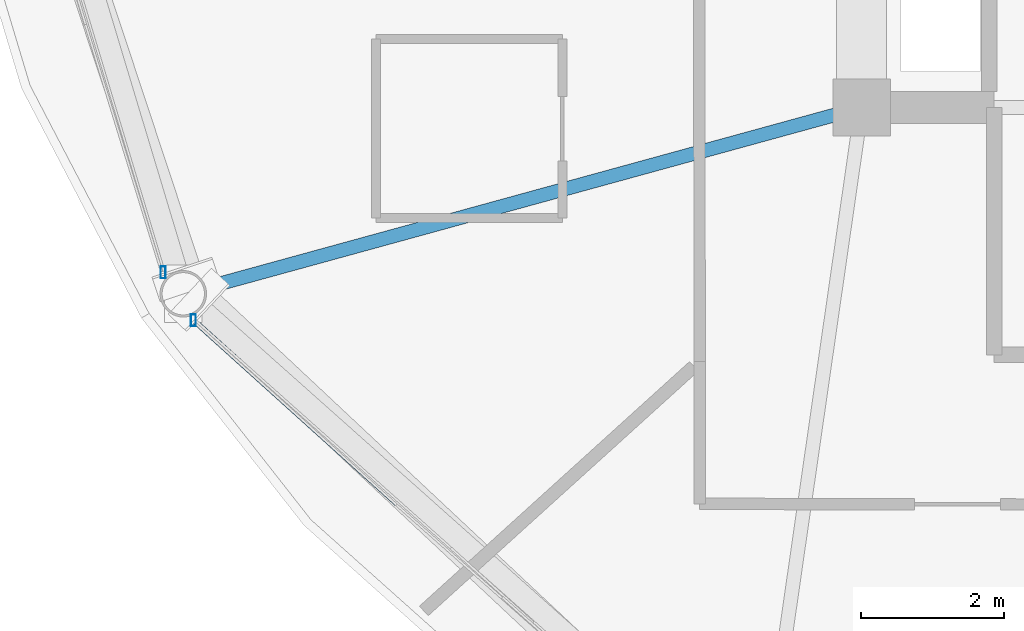
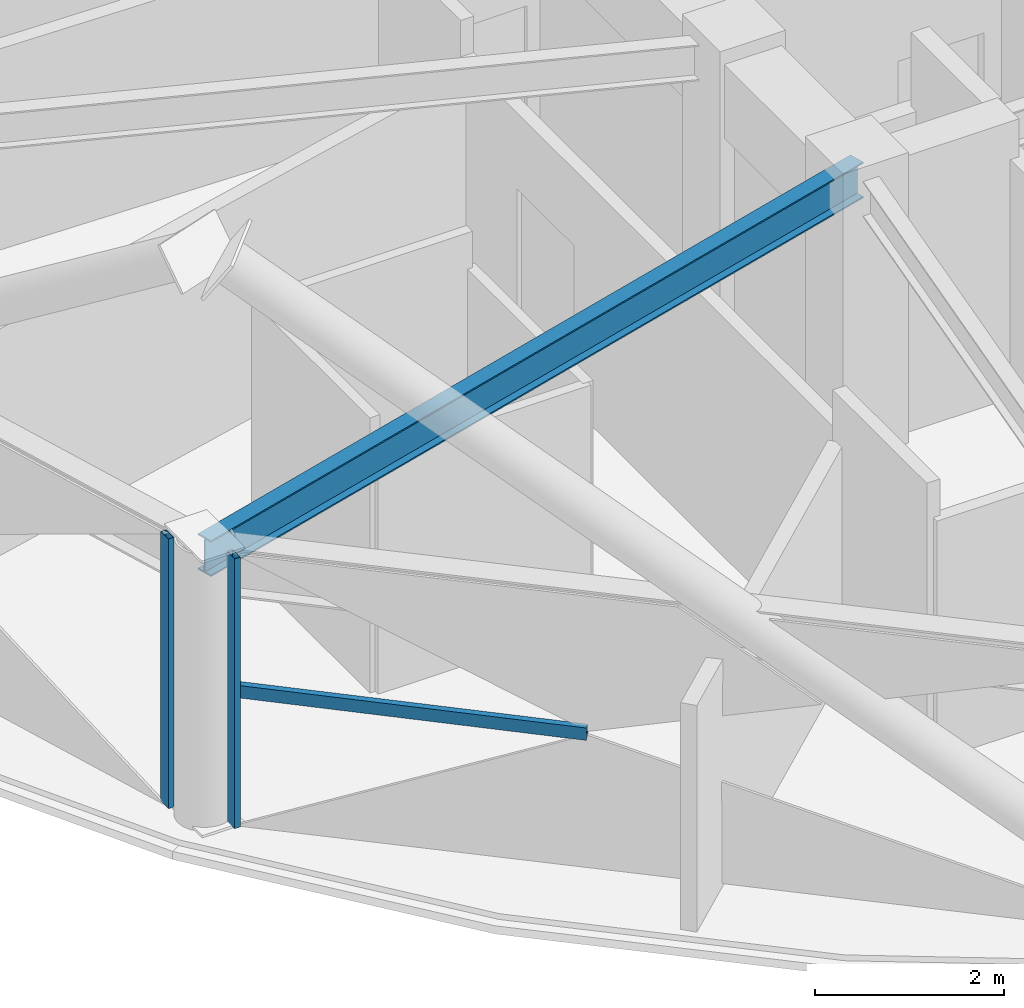
# One storey, part 3 of 29: 3 members, 1 beam, 2 elements without a shape of their own.
"""IFC4 building model written with IfcOpenShell, lengths in metres."""

from ifc_helpers import new_model, si_unit, direction, frame, origin, origin_2d, place, context, subcontext, project, spatial, hollow_rectangle, i_section, extrude, material, layer, layer_set, material_profile, profile_set, type_object, element, aggregate, save


model = new_model("IFC4")

# Units and contexts
model_context = context("Model", 3, precision=1e-05, world=origin(), true_north=direction((0.0, 1.0)))
body_context = subcontext(model_context, "Body", "Model", "MODEL_VIEW")
ifc_project = project(units=[si_unit("LENGTHUNIT", "METRE"), si_unit("AREAUNIT", "SQUARE_METRE"), si_unit("VOLUMEUNIT", "CUBIC_METRE"), si_unit("PLANEANGLEUNIT", "RADIAN"), si_unit("MASSUNIT", "GRAM", prefix="KILO")], contexts=[model_context])

# Site, building, storey
site_placement = place(None, origin())
site = spatial("IfcSite", under=ifc_project, at=site_placement, CompositionType="ELEMENT")
building_placement = place(site_placement, origin())
building = spatial("IfcBuilding", under=site, at=building_placement, Name="Vantalir Tower", CompositionType="ELEMENT")
storey_placement = place(building_placement, frame((0.0, 0.0, 227.39990234375)))
storey = spatial("IfcBuildingStorey", under=building, at=storey_placement, Name="L57", CompositionType="ELEMENT", Elevation=227.39990234375)

# Beam
ifc_material_1 = material(Name="Steel S355", Category="steel")
ifc_material_profile_1 = material_profile(ifc_material_1, i_section(OverallWidth=0.19189453125, OverallDepth=0.462890625, WebThickness=0.010498046875, FlangeThickness=0.017578125, at=origin_2d()), Name="Steel S355")
ifc_profile_set_1 = profile_set([ifc_material_profile_1], Name="Steel S355")
beam_type = type_object("IfcBeamType", Name="BM-RB-457x191", PredefinedType="BEAM", material=ifc_profile_set_1)
beam_placement = place(storey_placement, frame((12.43603515625, 15.201904296875, 3.338134765625), z_axis=(0.964320419913, 0.264737847196, 0.0), x_axis=(-0.264737847196, 0.964320419913, 0.0)))
element("IfcBeam", 1, at=beam_placement, inside=storey, type_object=beam_type, Name="L57 Radial Floor Beam 08", PredefinedType="BEAM", context=body_context, shape_type="SweptSolid", body=[
    extrude(i_section(OverallWidth=0.19189453125, OverallDepth=0.462890625, WebThickness=0.010498046875, FlangeThickness=0.017578125, at=origin_2d()), origin(), (0.0, 0.0, 1.0), 9.81396484375),
])

# Curtain wall, member
ifc_material_2 = material(Name="Champagne-silver PVDF aluminium and double-silver Low-E glass", Category="aluminium")
ifc_layer = layer(ifc_material_2, 0.2099609375)
ifc_layer_set = layer_set([ifc_layer], Name="Champagne-silver PVDF aluminium and double-silver Low-E glass")
curtain_wall_type = type_object("IfcCurtainWallType", Name="CW-DIAMOND-Z3", PredefinedType="USERDEFINED", material=ifc_layer_set)
curtain_wall_1_placement = place(storey_placement, origin())
curtain_wall_1 = element("IfcCurtainWall", 2, at=curtain_wall_1_placement, inside=storey, type_object=curtain_wall_type, Name="L57 Quilted Pyramid-Diamond Curtain Wall S07", ObjectType="UNITISED CURTAIN WALL", PredefinedType="USERDEFINED")
ifc_material_3 = material(Name="Champagne-silver PVDF aluminium 6063-T6", Category="aluminium")
ifc_material_profile_2 = material_profile(ifc_material_3, hollow_rectangle(XDim=0.070068359375, YDim=0.1650390625, WallThickness=0.00390625, at=origin_2d()), Name="Champagne-silver PVDF aluminium 6063-T6")
ifc_profile_set_2 = profile_set([ifc_material_profile_2], Name="Champagne-silver PVDF aluminium 6063-T6")
member_type_1 = type_object("IfcMemberType", Name="CWM-165x70", PredefinedType="MULLION", material=ifc_profile_set_2)
member_1_placement = place(storey_placement, frame((12.154052734375, 15.5, 0.045166015625), z_axis=(0.0, 0.0, 1.0), x_axis=(1.0, 0.0, 0.0)))
member_1 = element("IfcMember", 3, at=member_1_placement, type_object=member_type_1, Name="CW-L57-S07 Mullion 2", PredefinedType="MULLION", context=body_context, shape_type="SweptSolid", body=[
    extrude(hollow_rectangle(XDim=0.070068359375, YDim=0.1650390625, WallThickness=0.00390625, at=origin_2d()), origin(), (0.0, 0.0, 1.0), 3.47998046875),
])
aggregate(curtain_wall_1, [member_1])

# Curtain wall, members
curtain_wall_2_placement = place(storey_placement, origin())
curtain_wall_2 = element("IfcCurtainWall", 4, at=curtain_wall_2_placement, inside=storey, type_object=curtain_wall_type, Name="L57 Quilted Pyramid-Diamond Curtain Wall S08", ObjectType="UNITISED CURTAIN WALL", PredefinedType="USERDEFINED")
member_2_placement = place(storey_placement, frame((12.577880859375, 14.833984375, 0.045166015625), z_axis=(0.0, 0.0, 1.0), x_axis=(1.0, 0.0, 0.0)))
member_2 = element("IfcMember", 5, at=member_2_placement, type_object=member_type_1, Name="CW-L57-S08 Mullion 1", PredefinedType="MULLION", context=body_context, shape_type="SweptSolid", body=[
    extrude(hollow_rectangle(XDim=0.070068359375, YDim=0.1650390625, WallThickness=0.00390625, at=origin_2d()), origin(), (0.0, 0.0, 1.0), 3.47998046875),
])
ifc_material_profile_3 = material_profile(ifc_material_3, hollow_rectangle(XDim=0.074951171875, YDim=0.159912109375, WallThickness=0.00390625, at=origin_2d()), Name="Champagne-silver PVDF aluminium 6063-T6")
ifc_profile_set_3 = profile_set([ifc_material_profile_3], Name="Champagne-silver PVDF aluminium 6063-T6")
member_type_2 = type_object("IfcMemberType", Name="CWT-160x75", PredefinedType="USERDEFINED", material=ifc_profile_set_3)
member_3_placement = place(storey_placement, frame((12.577880859375, 14.833984375, 1.78515625), z_axis=(0.742559753379, -0.669779824018, 0.0), x_axis=(0.669779824018, 0.742559753379, 0.0)))
member_3 = element("IfcMember", 6, at=member_3_placement, type_object=member_type_2, Name="CW-L57-S08 Pyramid Fold Ridge Transom", ObjectType="TRANSOM", PredefinedType="USERDEFINED", context=body_context, shape_type="SweptSolid", body=[
    extrude(hollow_rectangle(XDim=0.074951171875, YDim=0.159912109375, WallThickness=0.00390625, at=origin_2d()), origin(), (0.0, 0.0, 1.0), 3.82080078125),
])
aggregate(curtain_wall_2, [member_2, member_3])

save(model, "model.ifc")
